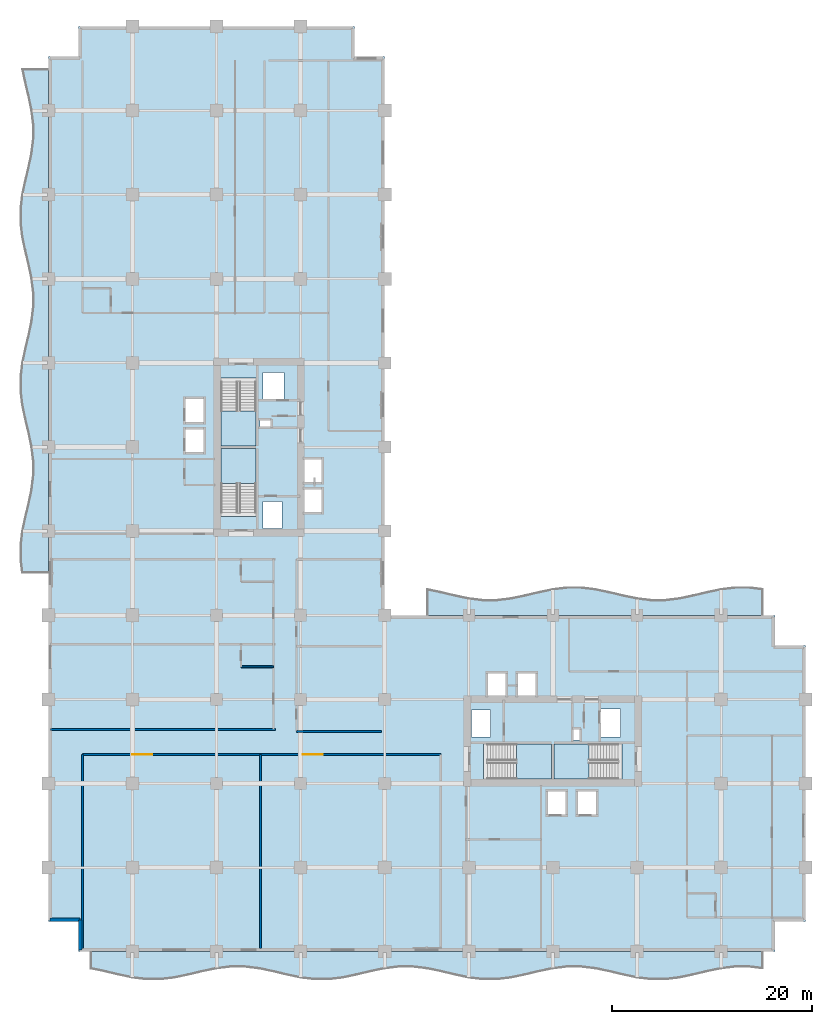
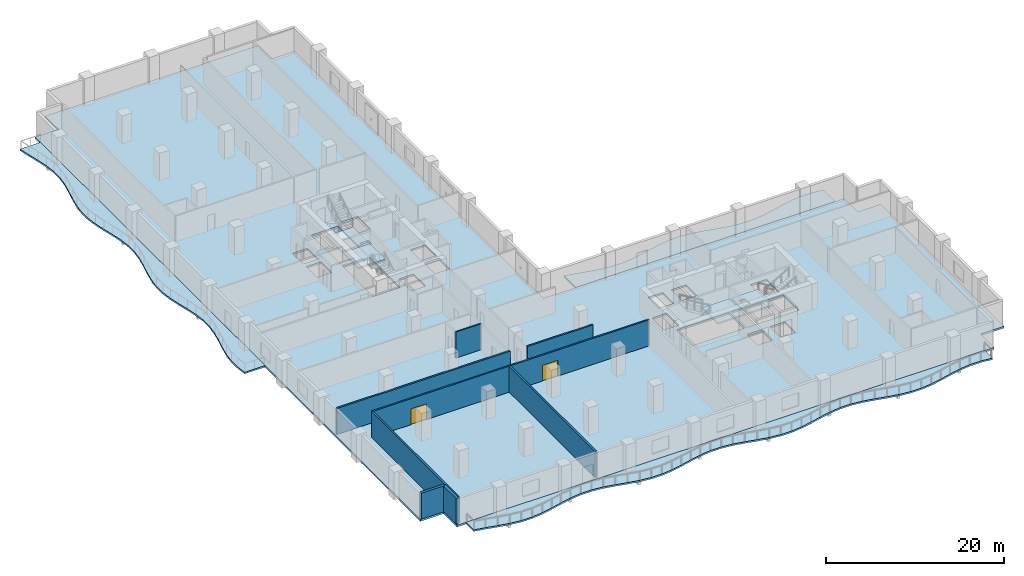
# One storey, part 3 of 15: 8 slabs, 8 walls, 2 doors, 2 openings, 4 elements without a shape of their own.
"""IFC4 building model written with IfcOpenShell, lengths in metres."""

import ifcopenshell
import ifcopenshell.guid

model = None  # the IFC model being written
_history = None  # IfcOwnerHistory: only IFC2X3 demands one
_inside = {}  # id of a spatial element -> (the spatial element, [elements in it])
_under = {}  # id of a project, library or spatial element -> (it, [spatial elements below it])
_declared = {}  # id of a project -> (the project, [libraries it declares])
_typed = {}  # id of a type object -> (the type object, [elements of that type])
_made_of = {}  # id of a material, layer set ... -> (it, [elements and type objects made of it])


def new_model(schema):
    """Start an empty IFC model of exactly this schema.

    Asked for "IFC4X3", IfcOpenShell would pick the latest addendum, in which some entities
    have other attributes; the version numbers below select the first issue.
    IFC2X3 requires an IfcOwnerHistory on every rooted entity: one is made here for all.
    """
    global model, _history
    if schema == "IFC4X3":
        model = ifcopenshell.file(schema_version=(4, 3, 0, 0))
    else:
        model = ifcopenshell.file(schema=schema)
    _inside.clear()
    _under.clear()
    _declared.clear()
    _typed.clear()
    _made_of.clear()
    _history = None
    if model.schema == "IFC2X3":
        org = make("IfcOrganization", Name="unknown")
        user = make(
            "IfcPersonAndOrganization",
            ThePerson=make("IfcPerson", FamilyName="unknown"),
            TheOrganization=org,
        )
        app = make(
            "IfcApplication",
            ApplicationDeveloper=org,
            Version="unknown",
            ApplicationFullName="unknown",
            ApplicationIdentifier="unknown",
        )
        _history = make(
            "IfcOwnerHistory",
            OwningUser=user,
            OwningApplication=app,
            ChangeAction="ADDED",
            CreationDate=0,
        )
    return model


def make(cls, **values):
    """One entity of the class cls with the attributes given. An attribute that is None is left unset."""
    return model.create_entity(
        cls, **{name: value for name, value in values.items() if value is not None}
    )


def rooted(cls, **values):
    """An entity with a GlobalId (a new one), such as an element, a storey or a relation."""
    return make(cls, GlobalId=ifcopenshell.guid.new(), OwnerHistory=_history, **values)


def si_unit(unit_type, name, prefix=None):
    """IfcSIUnit, for example si_unit("LENGTHUNIT", "METRE", prefix="MILLI")."""
    return make("IfcSIUnit", UnitType=unit_type, Prefix=prefix, Name=name)


def assignment(units):
    """IfcUnitAssignment: the units of a project."""
    return None if units is None else make("IfcUnitAssignment", Units=units)


def point(xyz):
    """IfcCartesianPoint."""
    return None if xyz is None else make("IfcCartesianPoint", Coordinates=xyz)


def direction(xyz):
    """IfcDirection."""
    return None if xyz is None else make("IfcDirection", DirectionRatios=xyz)


def frame(location, z_axis=None, x_axis=None):
    """IfcAxis2Placement3D, a coordinate frame: its origin and axes. An axis left out is left unset."""
    return make(
        "IfcAxis2Placement3D",
        Location=point(location),
        Axis=direction(z_axis),
        RefDirection=direction(x_axis),
    )


def frame_2d(location, x_axis=None):
    """IfcAxis2Placement2D, a coordinate frame in the plane: its origin and x axis."""
    return make(
        "IfcAxis2Placement2D", Location=point(location), RefDirection=direction(x_axis)
    )


def origin():
    """The frame at (0, 0, 0) with its axes left unset."""
    return frame((0.0, 0.0, 0.0))


def place(relative_to, where):
    """IfcLocalPlacement: puts the frame where relative to a parent placement (None: the world)."""
    return make(
        "IfcLocalPlacement", PlacementRelTo=relative_to, RelativePlacement=where
    )


def context(
    kind, dimensions, precision=None, world=None, true_north=None, identifier=None
):
    """IfcGeometricRepresentationContext, for example the 3D "Model" context."""
    return make(
        "IfcGeometricRepresentationContext",
        ContextIdentifier=identifier,
        ContextType=kind,
        CoordinateSpaceDimension=dimensions,
        Precision=precision,
        WorldCoordinateSystem=world,
        TrueNorth=true_north,
    )


def subcontext(parent, identifier, kind, view, scale=None):
    """IfcGeometricRepresentationSubContext, for example "Body" below "Model"."""
    return make(
        "IfcGeometricRepresentationSubContext",
        ContextIdentifier=identifier,
        ContextType=kind,
        ParentContext=parent,
        TargetScale=scale,
        TargetView=view,
    )


def project(units=None, contexts=None):
    """IfcProject with its units and contexts."""
    return rooted(
        "IfcProject",
        Name="project",
        RepresentationContexts=contexts,
        UnitsInContext=assignment(units),
    )


def spatial(cls, under=None, at=None, **own):
    """A site, building, storey or space (cls), placed at a placement, below another one or the project."""
    s = rooted(cls, ObjectPlacement=at, **own)
    if under is not None:
        _under.setdefault(under.id(), (under, []))[1].append(s)
    return s


def polyline(points):
    """IfcPolyline through the points."""
    return make("IfcPolyline", Points=[point(p) for p in points])


def profile(cls, at=None, kind="AREA", **sizes):
    """A parametric profile (cls). Its sizes go by their IFC names, for example OverallWidth=200.0."""
    return make(cls, ProfileType=kind, Position=at, **sizes)


def rectangle(**sizes):
    """IfcRectangleProfileDef."""
    return profile("IfcRectangleProfileDef", **sizes)


def outline(outer, holes=None, kind="AREA"):
    """IfcArbitraryClosedProfileDef: a profile drawn as a closed curve; with holes, ...WithVoids."""
    if holes is None:
        return make("IfcArbitraryClosedProfileDef", ProfileType=kind, OuterCurve=outer)
    return make(
        "IfcArbitraryProfileDefWithVoids",
        ProfileType=kind,
        OuterCurve=outer,
        InnerCurves=holes,
    )


def extrude(swept, where, along, depth):
    """IfcExtrudedAreaSolid: the profile swept, set in the frame where, extruded along a direction by depth."""
    return make(
        "IfcExtrudedAreaSolid",
        SweptArea=swept,
        Position=where,
        ExtrudedDirection=direction(along),
        Depth=depth,
    )


def shape(context_of_items, identifier, shape_type, items):
    """IfcShapeRepresentation: the items that make up one representation, for example the "Body"."""
    return make(
        "IfcShapeRepresentation",
        ContextOfItems=context_of_items,
        RepresentationIdentifier=identifier,
        RepresentationType=shape_type,
        Items=items,
    )


def material(Name=None, Category=None):
    """IfcMaterial."""
    return make("IfcMaterial", Name=Name, Category=Category)


def layer(
    of_material, thickness, ventilated=None, Name=None, Category=None, Priority=None
):
    """IfcMaterialLayer: one layer of a wall or slab, of a material (None: an air gap)."""
    return make(
        "IfcMaterialLayer",
        Material=of_material,
        LayerThickness=thickness,
        IsVentilated=ventilated,
        Name=Name,
        Category=Category,
        Priority=Priority,
    )


def layer_set(layers, Name=None):
    """IfcMaterialLayerSet."""
    return make("IfcMaterialLayerSet", MaterialLayers=layers, LayerSetName=Name)


def made_of(thing, what):
    """Note that an element or type object is made of a material, layer set ...; save() writes the relation."""
    if what is not None:
        _made_of.setdefault(what.id(), (what, []))[1].append(thing)
    return thing


def type_object(cls, material=None, **own):
    """A type object (cls), such as IfcWallType, which elements share."""
    return made_of(rooted(cls, **own), material)


def element(
    cls,
    number,
    at=None,
    inside=None,
    cuts=None,
    type_object=None,
    material=None,
    context=None,
    identifier="Body",
    shape_type=None,
    held_by="IfcProductDefinitionShape",
    body=None,
    shapes=None,
    **own,
):
    """One element of the class cls, such as IfcWall. Its Tag is "e" and its number.

    at: its placement. inside: the storey or other place that contains it. cuts: it is an
    opening in that element (IfcRelVoidsElement). A single representation is given by context,
    identifier, shape_type and body (its items); several are given by shapes. held_by: the class
    of the entity that holds the representations. save() writes the other relations.
    """
    e = rooted(cls, Tag="e%d" % number, ObjectPlacement=at, **own)
    if body is not None:
        shapes = [shape(context, identifier, shape_type, body)]
    if shapes is not None:
        e.Representation = make(held_by, Representations=shapes)
    if inside is not None:
        _inside.setdefault(inside.id(), (inside, []))[1].append(e)
    if cuts is not None:
        rooted(
            "IfcRelVoidsElement", RelatingBuildingElement=cuts, RelatedOpeningElement=e
        )
    if type_object is not None:
        _typed.setdefault(type_object.id(), (type_object, []))[1].append(e)
    return made_of(e, material)


def fill(opening, filler):
    """IfcRelFillsElement: the door or window that sits in an opening."""
    return rooted(
        "IfcRelFillsElement",
        RelatingOpeningElement=opening,
        RelatedBuildingElement=filler,
    )


def aggregate(whole, parts):
    """IfcRelAggregates: a whole, such as a stair, and the parts it consists of."""
    return rooted("IfcRelAggregates", RelatingObject=whole, RelatedObjects=parts)


def save(model, path):
    """Write the relations noted so far, then the file.

    IfcRelAggregates (storeys below a building ...), IfcRelContainedInSpatialStructure (elements
    in a storey), IfcRelDefinesByType, IfcRelAssociatesMaterial and IfcRelDeclares: one each for
    every whole, place, type object, material and project.
    """
    for whole, parts in _under.values():
        aggregate(whole, parts)
    for where, things in _inside.values():
        rooted(
            "IfcRelContainedInSpatialStructure",
            RelatedElements=things,
            RelatingStructure=where,
        )
    for kind, things in _typed.values():
        rooted("IfcRelDefinesByType", RelatedObjects=things, RelatingType=kind)
    for what, things in _made_of.values():
        rooted("IfcRelAssociatesMaterial", RelatedObjects=things, RelatingMaterial=what)
    for by, libraries in _declared.values():
        rooted("IfcRelDeclares", RelatingContext=by, RelatedDefinitions=libraries)
    model.write(path)


model = new_model("IFC4")

# Units and contexts
model_context = context("Model", 3, precision=1e-05, world=origin(), true_north=direction((0.0, 1.0)))
body_context = subcontext(model_context, "Body", "Model", "MODEL_VIEW")
ifc_project = project(units=[si_unit("LENGTHUNIT", "METRE"), si_unit("AREAUNIT", "SQUARE_METRE"), si_unit("VOLUMEUNIT", "CUBIC_METRE"), si_unit("PLANEANGLEUNIT", "RADIAN"), si_unit("MASSUNIT", "GRAM", prefix="KILO")], contexts=[model_context])

# Site, building, storey
site_placement = place(None, origin())
site = spatial("IfcSite", under=ifc_project, at=site_placement, CompositionType="ELEMENT")
building_placement = place(site_placement, origin())
building = spatial("IfcBuilding", under=site, at=building_placement, Name="Koriwani Terraces Tower", CompositionType="ELEMENT")
storey_placement = place(building_placement, frame((0.0, 0.0, 138.0)))
storey = spatial("IfcBuildingStorey", under=building, at=storey_placement, Name="L33", CompositionType="ELEMENT", Elevation=138.0)

# Slabs
ifc_material_1 = material(Name="Concrete C40/50", Category="concrete")
ifc_layer_1 = layer(ifc_material_1, 0.219970703125, Name="Concrete C40/50")
ifc_layer_set_1 = layer_set([ifc_layer_1], Name="Concrete C40/50")
slab_type_1 = type_object("IfcSlabType", Name="SLAB_BALCONY_220", PredefinedType="FLOOR", material=ifc_layer_set_1)
slab_1_placement = place(storey_placement, frame((0.0, 0.0, -0.219970703125)))
element("IfcSlab", 1, at=slab_1_placement, inside=storey, type_object=slab_type_1, Name="L33 Quilted Circular-Arc Balcony (S)", PredefinedType="FLOOR", context=body_context, shape_type="SweptSolid", body=[
    extrude(outline(polyline([(4.199951171875, 0.0), (5.60009765625, 0.0), (7.0, 0.0), (8.39990234375, 0.0), (9.800048828125, 0.0), (11.199951171875, 0.0), (12.60009765625, 0.0), (14.0, 0.0), (15.39990234375, 0.0), (16.800048828125, 0.0), (18.199951171875, 0.0), (19.60009765625, 0.0), (21.0, 0.0), (22.39990234375, 0.0), (23.800048828125, 0.0), (25.199951171875, 0.0), (26.60009765625, 0.0), (28.0, 0.0), (29.39990234375, 0.0), (30.800048828125, 0.0), (32.199951171875, 0.0), (33.60009765625, 0.0), (35.0, 0.0), (36.39990234375, 0.0), (37.800048828125, 0.0), (39.199951171875, 0.0), (40.60009765625, 0.0), (42.0, 0.0), (43.39990234375, 0.0), (44.800048828125, 0.0), (46.199951171875, 0.0), (47.60009765625, 0.0), (49.0, 0.0), (50.39990234375, 0.0), (51.800048828125, 0.0), (53.199951171875, 0.0), (54.60009765625, 0.0), (56.0, 0.0), (57.39990234375, 0.0), (58.800048828125, 0.0), (60.199951171875, 0.0), (61.60009765625, 0.0), (63.0, 0.0), (64.39990234375, 0.0), (65.800048828125, 0.0), (67.199951171875, 0.0), (68.60009765625, 0.0), (70.0, 0.0), (71.39990234375, 0.0), (71.39990234375, -1.740478515625), (70.0, -1.572021484375), (68.60009765625, -1.572021484375), (67.199951171875, -1.740478515625), (65.800048828125, -2.03173828125), (64.39990234375, -2.3681640625), (63.0, -2.65966796875), (61.60009765625, -2.827880859375), (60.199951171875, -2.827880859375), (58.800048828125, -2.65966796875), (57.39990234375, -2.3681640625), (56.0, -2.03173828125), (54.60009765625, -1.740478515625), (53.199951171875, -1.572021484375), (51.800048828125, -1.572021484375), (50.39990234375, -1.740478515625), (49.0, -2.03173828125), (47.60009765625, -2.3681640625), (46.199951171875, -2.65966796875), (44.800048828125, -2.827880859375), (43.39990234375, -2.827880859375), (42.0, -2.65966796875), (40.60009765625, -2.3681640625), (39.199951171875, -2.03173828125), (37.800048828125, -1.740478515625), (36.39990234375, -1.572021484375), (35.0, -1.572021484375), (33.60009765625, -1.740478515625), (32.199951171875, -2.03173828125), (30.800048828125, -2.3681640625), (29.39990234375, -2.65966796875), (28.0, -2.827880859375), (26.60009765625, -2.827880859375), (25.199951171875, -2.65966796875), (23.800048828125, -2.3681640625), (22.39990234375, -2.03173828125), (21.0, -1.740478515625), (19.60009765625, -1.572021484375), (18.199951171875, -1.572021484375), (16.800048828125, -1.740478515625), (15.39990234375, -2.03173828125), (14.0, -2.3681640625), (12.60009765625, -2.65966796875), (11.199951171875, -2.827880859375), (9.800048828125, -2.827880859375), (8.39990234375, -2.65966796875), (7.0, -2.3681640625), (5.60009765625, -2.03173828125), (4.199951171875, -1.740478515625), (4.199951171875, 0.0)])), origin(), (0.0, 0.0, 1.0), 0.219970703125),
])
slab_2_placement = place(storey_placement, frame((0.0, 0.0, -0.219970703125)))
element("IfcSlab", 2, at=slab_2_placement, inside=storey, type_object=slab_type_1, Name="L33 Quilted Circular-Arc Balcony (W)", PredefinedType="FLOOR", context=body_context, shape_type="SweptSolid", body=[
    extrude(outline(polyline([(0.0, 37.800048828125), (0.0, 39.199951171875), (0.0, 40.60009765625), (0.0, 42.0), (0.0, 43.39990234375), (0.0, 44.800048828125), (0.0, 46.199951171875), (0.0, 47.60009765625), (0.0, 49.0), (0.0, 50.39990234375), (0.0, 51.800048828125), (0.0, 53.199951171875), (0.0, 54.60009765625), (0.0, 56.0), (0.0, 57.39990234375), (0.0, 58.800048828125), (0.0, 60.199951171875), (0.0, 61.60009765625), (0.0, 63.0), (0.0, 64.39990234375), (0.0, 65.800048828125), (0.0, 67.199951171875), (0.0, 68.60009765625), (0.0, 70.0), (0.0, 71.39990234375), (0.0, 72.800048828125), (0.0, 74.199951171875), (0.0, 75.60009765625), (0.0, 77.0), (0.0, 78.39990234375), (0.0, 79.800048828125), (0.0, 81.199951171875), (0.0, 82.60009765625), (0.0, 84.0), (0.0, 85.39990234375), (0.0, 86.800048828125), (0.0, 88.199951171875), (-2.65966796875, 88.199951171875), (-2.3681640625, 86.800048828125), (-2.03173828125, 85.39990234375), (-1.740478515625, 84.0), (-1.572021484375, 82.60009765625), (-1.572021484375, 81.199951171875), (-1.740478515625, 79.800048828125), (-2.03173828125, 78.39990234375), (-2.3681640625, 77.0), (-2.65966796875, 75.60009765625), (-2.827880859375, 74.199951171875), (-2.827880859375, 72.800048828125), (-2.65966796875, 71.39990234375), (-2.3681640625, 70.0), (-2.03173828125, 68.60009765625), (-1.740478515625, 67.199951171875), (-1.572021484375, 65.800048828125), (-1.572021484375, 64.39990234375), (-1.740478515625, 63.0), (-2.03173828125, 61.60009765625), (-2.3681640625, 60.199951171875), (-2.65966796875, 58.800048828125), (-2.827880859375, 57.39990234375), (-2.827880859375, 56.0), (-2.65966796875, 54.60009765625), (-2.3681640625, 53.199951171875), (-2.03173828125, 51.800048828125), (-1.740478515625, 50.39990234375), (-1.572021484375, 49.0), (-1.572021484375, 47.60009765625), (-1.740478515625, 46.199951171875), (-2.03173828125, 44.800048828125), (-2.3681640625, 43.39990234375), (-2.65966796875, 42.0), (-2.827880859375, 40.60009765625), (-2.827880859375, 39.199951171875), (-2.65966796875, 37.800048828125), (0.0, 37.800048828125)])), origin(), (0.0, 0.0, 1.0), 0.219970703125),
])
slab_3_placement = place(storey_placement, frame((0.0, 0.0, -0.219970703125)))
element("IfcSlab", 3, at=slab_3_placement, inside=storey, type_object=slab_type_1, Name="L33 Quilted Circular-Arc Balcony (NE)", PredefinedType="FLOOR", context=body_context, shape_type="SweptSolid", body=[
    extrude(outline(polyline([(71.39990234375, 33.60009765625), (70.0, 33.60009765625), (68.60009765625, 33.60009765625), (67.199951171875, 33.60009765625), (65.800048828125, 33.60009765625), (64.39990234375, 33.60009765625), (63.0, 33.60009765625), (61.60009765625, 33.60009765625), (60.199951171875, 33.60009765625), (58.800048828125, 33.60009765625), (57.39990234375, 33.60009765625), (56.0, 33.60009765625), (54.60009765625, 33.60009765625), (53.199951171875, 33.60009765625), (51.800048828125, 33.60009765625), (50.39990234375, 33.60009765625), (49.0, 33.60009765625), (47.60009765625, 33.60009765625), (46.199951171875, 33.60009765625), (44.800048828125, 33.60009765625), (43.39990234375, 33.60009765625), (42.0, 33.60009765625), (40.60009765625, 33.60009765625), (39.199951171875, 33.60009765625), (37.800048828125, 33.60009765625), (37.800048828125, 36.259521484375), (39.199951171875, 35.96826171875), (40.60009765625, 35.6318359375), (42.0, 35.34033203125), (43.39990234375, 35.172119140625), (44.800048828125, 35.172119140625), (46.199951171875, 35.34033203125), (47.60009765625, 35.6318359375), (49.0, 35.96826171875), (50.39990234375, 36.259521484375), (51.800048828125, 36.427978515625), (53.199951171875, 36.427978515625), (54.60009765625, 36.259521484375), (56.0, 35.96826171875), (57.39990234375, 35.6318359375), (58.800048828125, 35.34033203125), (60.199951171875, 35.172119140625), (61.60009765625, 35.172119140625), (63.0, 35.34033203125), (64.39990234375, 35.6318359375), (65.800048828125, 35.96826171875), (67.199951171875, 36.259521484375), (68.60009765625, 36.427978515625), (70.0, 36.427978515625), (71.39990234375, 36.259521484375), (71.39990234375, 33.60009765625)])), origin(), (0.0, 0.0, 1.0), 0.219970703125),
])

# Stair, slab
stair_type = type_object("IfcStairType", Name="STAIR_CORE_DOGLEG_1650", PredefinedType="TWO_STRAIGHT_RUN_STAIR", material=ifc_material_1)
stair_1_placement = place(storey_placement, origin())
stair_1 = element("IfcStair", 4, at=stair_1_placement, inside=storey, type_object=stair_type, Name="L33 West Core Exit Stair 1", PredefinedType="HALF_TURN_STAIR")
ifc_layer_2 = layer(ifc_material_1, 0.199951171875, Name="Concrete C40/50")
ifc_layer_set_2 = layer_set([ifc_layer_2], Name="Concrete C40/50")
slab_type_2 = type_object("IfcSlabType", Name="SLAB_STAIR_LANDING_200", PredefinedType="LANDING", material=ifc_layer_set_2)
slab_4_placement = place(storey_placement, frame((0.0, 0.0, 1.699951171875)))
slab_4 = element("IfcSlab", 5, at=slab_4_placement, type_object=slab_type_2, Name="ST-W1 landing 1", PredefinedType="LANDING", context=body_context, shape_type="SweptSolid", body=[
    extrude(outline(polyline([(20.75, 46.75), (20.75, 50.25), (17.25, 50.25), (17.25, 46.75), (20.75, 46.75)])), origin(), (0.0, 0.0, 1.0), 0.199951171875),
])
aggregate(stair_1, [slab_4])

stair_2_placement = place(storey_placement, origin())
stair_2 = element("IfcStair", 6, at=stair_2_placement, inside=storey, type_object=stair_type, Name="L33 West Core Exit Stair 2", PredefinedType="HALF_TURN_STAIR")
slab_5_placement = place(storey_placement, frame((0.0, 0.0, 1.699951171875)))
slab_5 = element("IfcSlab", 7, at=slab_5_placement, type_object=slab_type_2, Name="ST-W2 landing 1", PredefinedType="LANDING", context=body_context, shape_type="SweptSolid", body=[
    extrude(outline(polyline([(17.25, 54.0), (17.25, 50.5), (20.75, 50.5), (20.75, 54.0), (17.25, 54.0)])), origin(), (0.0, 0.0, 1.0), 0.199951171875),
])
aggregate(stair_2, [slab_5])

stair_3_placement = place(storey_placement, origin())
stair_3 = element("IfcStair", 8, at=stair_3_placement, inside=storey, type_object=stair_type, Name="L33 East Core Exit Stair 1", PredefinedType="HALF_TURN_STAIR")
slab_6_placement = place(storey_placement, frame((0.0, 0.0, 1.699951171875)))
slab_6 = element("IfcSlab", 9, at=slab_6_placement, type_object=slab_type_2, Name="ST-E1 landing 1", PredefinedType="LANDING", context=body_context, shape_type="SweptSolid", body=[
    extrude(outline(polyline([(46.75, 17.25), (50.25, 17.25), (50.25, 20.75), (46.75, 20.75), (46.75, 17.25)])), origin(), (0.0, 0.0, 1.0), 0.199951171875),
])
aggregate(stair_3, [slab_6])

stair_4_placement = place(storey_placement, origin())
stair_4 = element("IfcStair", 10, at=stair_4_placement, inside=storey, type_object=stair_type, Name="L33 East Core Exit Stair 2", PredefinedType="HALF_TURN_STAIR")
slab_7_placement = place(storey_placement, frame((0.0, 0.0, 1.699951171875)))
slab_7 = element("IfcSlab", 11, at=slab_7_placement, type_object=slab_type_2, Name="ST-E2 landing 1", PredefinedType="LANDING", context=body_context, shape_type="SweptSolid", body=[
    extrude(outline(polyline([(54.0, 20.75), (50.5, 20.75), (50.5, 17.25), (54.0, 17.25), (54.0, 20.75)])), origin(), (0.0, 0.0, 1.0), 0.199951171875),
])
aggregate(stair_4, [slab_7])

# Slab
ifc_layer_3 = layer(ifc_material_1, 0.25, Name="Concrete C40/50")
ifc_layer_set_3 = layer_set([ifc_layer_3], Name="Concrete C40/50")
slab_type_3 = type_object("IfcSlabType", Name="SLAB_TOWER_TYP_250", PredefinedType="FLOOR", material=ifc_layer_set_3)
slab_8_placement = place(storey_placement, frame((0.0, 0.0, -0.25)))
element("IfcSlab", 12, at=slab_8_placement, inside=storey, type_object=slab_type_3, Name="L33 Structural Floor Slab", PredefinedType="FLOOR", context=body_context, shape_type="SweptSolid", body=[
    extrude(outline(polyline([(3.0, 0.0), (72.60009765625, 0.0), (72.60009765625, 3.0), (75.60009765625, 3.0), (75.60009765625, 30.60009765625), (72.60009765625, 30.60009765625), (72.60009765625, 33.60009765625), (33.60009765625, 33.60009765625), (33.60009765625, 89.39990234375), (30.60009765625, 89.39990234375), (30.60009765625, 92.39990234375), (3.0, 92.39990234375), (3.0, 89.39990234375), (0.0, 89.39990234375), (0.0, 3.0), (3.0, 3.0), (3.0, 0.0)]), holes=[polyline([(17.25, 43.4599609375), (20.75, 43.4599609375), (20.75, 50.25), (17.25, 50.25), (17.25, 43.4599609375)]), polyline([(17.25, 50.5), (20.75, 50.5), (20.75, 57.2900390625), (17.25, 57.2900390625), (17.25, 50.5)]), polyline([(43.4599609375, 17.25), (50.25, 17.25), (50.25, 20.75), (43.4599609375, 20.75), (43.4599609375, 17.25)]), polyline([(50.5, 17.25), (57.2900390625, 17.25), (57.2900390625, 20.75), (50.5, 20.75), (50.5, 17.25)]), polyline([(13.64990234375, 49.85009765625), (15.550048828125, 49.85009765625), (15.550048828125, 52.25), (13.64990234375, 52.25), (13.64990234375, 49.85009765625)]), polyline([(13.64990234375, 52.85009765625), (15.550048828125, 52.85009765625), (15.550048828125, 55.25), (13.64990234375, 55.25), (13.64990234375, 52.85009765625)]), polyline([(49.85009765625, 13.64990234375), (51.75, 13.64990234375), (51.75, 16.050048828125), (49.85009765625, 16.050048828125), (49.85009765625, 13.64990234375)]), polyline([(52.85009765625, 13.64990234375), (54.75, 13.64990234375), (54.75, 16.050048828125), (52.85009765625, 16.050048828125), (52.85009765625, 13.64990234375)]), polyline([(25.449951171875, 43.85009765625), (27.35009765625, 43.85009765625), (27.35009765625, 46.25), (25.449951171875, 46.25), (25.449951171875, 43.85009765625)]), polyline([(25.449951171875, 46.85009765625), (27.35009765625, 46.85009765625), (27.35009765625, 49.25), (25.449951171875, 49.25), (25.449951171875, 46.85009765625)]), polyline([(43.85009765625, 25.449951171875), (45.75, 25.449951171875), (45.75, 27.85009765625), (43.85009765625, 27.85009765625), (43.85009765625, 25.449951171875)]), polyline([(46.85009765625, 25.449951171875), (48.75, 25.449951171875), (48.75, 27.85009765625), (46.85009765625, 27.85009765625), (46.85009765625, 25.449951171875)]), polyline([(21.449951171875, 55.050048828125), (23.550048828125, 55.050048828125), (23.550048828125, 57.85009765625), (21.449951171875, 57.85009765625), (21.449951171875, 55.050048828125)]), polyline([(55.050048828125, 21.449951171875), (57.14990234375, 21.449951171875), (57.14990234375, 24.25), (55.050048828125, 24.25), (55.050048828125, 21.449951171875)]), polyline([(21.449951171875, 42.25), (23.35009765625, 42.25), (23.35009765625, 44.949951171875), (21.449951171875, 44.949951171875), (21.449951171875, 42.25)]), polyline([(42.25, 21.449951171875), (44.14990234375, 21.449951171875), (44.14990234375, 24.14990234375), (42.25, 24.14990234375), (42.25, 21.449951171875)]), polyline([(21.14990234375, 52.419921875), (22.219970703125, 52.419921875), (22.219970703125, 53.179931640625), (21.14990234375, 53.179931640625), (21.14990234375, 52.419921875)]), polyline([(52.419921875, 21.14990234375), (53.179931640625, 21.14990234375), (53.179931640625, 22.219970703125), (52.419921875, 22.219970703125), (52.419921875, 21.14990234375)])]), origin(), (0.0, 0.0, 1.0), 0.25),
])

# Wall
ifc_material_2 = material(Name="Autoclaved Cellular Concrete Blockwork", Category="masonry")
ifc_layer_4 = layer(ifc_material_2, 0.199951171875, Name="Autoclaved Cellular Concrete Blockwork")
ifc_layer_set_4 = layer_set([ifc_layer_4], Name="Autoclaved Cellular Concrete Blockwork")
wall_type_1 = type_object("IfcWallType", Name="WALL_CORRIDOR_200", PredefinedType="PARTITIONING", material=ifc_layer_set_4)
wall_1_placement = place(storey_placement, frame((24.800048828125, 22.0, 0.0), z_axis=(0.0, 0.0, 1.0), x_axis=(1.0, 0.0, 0.0)))
element("IfcWall", 13, at=wall_1_placement, inside=storey, type_object=wall_type_1, Name="L33 Interior Wall WIC2-S-L33", PredefinedType="PARTITIONING", context=body_context, shape_type="SweptSolid", body=[
    extrude(rectangle(XDim=8.5, YDim=0.199951171875, at=frame_2d((4.25, 0.0))), origin(), (0.0, 0.0, 1.0), 3.550048828125),
])

# Wall, openings, doors
wall_2_placement = place(storey_placement, frame((3.39990234375, 19.699951171875, 0.0), z_axis=(0.0, 0.0, 1.0), x_axis=(1.0, 0.0, 0.0)))
wall_2 = element("IfcWall", 14, at=wall_2_placement, inside=storey, type_object=wall_type_1, Name="L33 Interior Wall WC2CF-L33", PredefinedType="PARTITIONING", context=body_context, shape_type="SweptSolid", body=[
    extrude(rectangle(XDim=35.800048828125, YDim=0.199951171875, at=frame_2d((17.89990234375, 0.0))), origin(), (0.0, 0.0, 1.0), 3.550048828125),
])
opening_1_placement = place(wall_2_placement, frame((5.0, 0.0, 0.0)))
opening_1 = element("IfcOpeningElement", 15, at=opening_1_placement, cuts=wall_2, Name="Opening D-02", PredefinedType="OPENING", context=body_context, shape_type="SweptSolid", body=[
    extrude(rectangle(XDim=2.0, YDim=2.14990234375, at=frame_2d((1.0, 1.074951171875))), frame((0.0, 0.10986328125, 0.0), z_axis=(0.0, -1.0, 0.0), x_axis=(1.0, 0.0, 0.0)), (0.0, 0.0, 1.0), 0.219970703125),
])
opening_2_placement = place(wall_2_placement, frame((22.0, 0.0, 0.0)))
opening_2 = element("IfcOpeningElement", 16, at=opening_2_placement, cuts=wall_2, Name="Opening D-02", PredefinedType="OPENING", context=body_context, shape_type="SweptSolid", body=[
    extrude(rectangle(XDim=2.0, YDim=2.14990234375, at=frame_2d((1.0, 1.074951171875))), frame((0.0, 0.10986328125, 0.0), z_axis=(0.0, -1.0, 0.0), x_axis=(1.0, 0.0, 0.0)), (0.0, 0.0, 1.0), 0.219970703125),
])
ifc_material_3 = material(Name="Anodised Bronze Aluminium", Category="aluminium")
door_type = type_object("IfcDoorType", Name="DOOR_ENTRANCE_DOUBLE_2000X2400", OperationType="NOTDEFINED", PredefinedType="DOOR", material=ifc_material_3)
door_1_placement = place(opening_1_placement, origin())
door_1 = element("IfcDoor", 17, at=door_1_placement, inside=storey, type_object=door_type, Name="L33 Summit Conference Hall Door", OperationType="SINGLE_SWING_LEFT", OverallHeight=2.14990234375, OverallWidth=2.0, PredefinedType="DOOR", context=body_context, shape_type="SweptSolid", body=[
    extrude(rectangle(XDim=2.0, YDim=2.14990234375, at=frame_2d((1.0, 1.074951171875))), frame((0.0, 0.02490234375, 0.0), z_axis=(0.0, -1.0, 0.0), x_axis=(1.0, 0.0, 0.0)), (0.0, 0.0, 1.0), 0.050048828125),
])
fill(opening_1, door_1)
door_2_placement = place(opening_2_placement, origin())
door_2 = element("IfcDoor", 18, at=door_2_placement, inside=storey, type_object=door_type, Name="L33 Hotel Banquet Salon Door", OperationType="SINGLE_SWING_RIGHT", OverallHeight=2.14990234375, OverallWidth=2.0, PredefinedType="DOOR", context=body_context, shape_type="SweptSolid", body=[
    extrude(rectangle(XDim=2.0, YDim=2.14990234375, at=frame_2d((1.0, 1.074951171875))), frame((0.0, 0.02490234375, 0.0), z_axis=(0.0, -1.0, 0.0), x_axis=(1.0, 0.0, 0.0)), (0.0, 0.0, 1.0), 0.050048828125),
])
fill(opening_2, door_2)

# Walls
ifc_layer_5 = layer(ifc_material_2, 0.219970703125, Name="Autoclaved Cellular Concrete Blockwork")
ifc_layer_set_5 = layer_set([ifc_layer_5], Name="Autoclaved Cellular Concrete Blockwork")
wall_type_2 = type_object("IfcWallType", Name="WALL_DEMISING_220", PredefinedType="PARTITIONING", material=ifc_layer_set_5)
for number, where, z_axis, x_axis, name in (
    (19, (3.39990234375, 0.300048828125, 0.0), (0.0, 0.0, 1.0), (0.0, 1.0, 0.0), "L33 Interior Wall WC2CFW-L33"),
    (20, (21.199951171875, 0.300048828125, 0.0), (0.0, 0.0, 1.0), (0.0, 1.0, 0.0), "L33 Interior Wall WC2CFM-L33"),
):
    element("IfcWall", number, at=place(storey_placement, frame(where, z_axis=z_axis, x_axis=x_axis)), inside=storey, type_object=wall_type_2, Name=name, PredefinedType="PARTITIONING", context=body_context, shape_type="SweptSolid", body=[
        extrude(rectangle(XDim=19.39990234375, YDim=0.219970703125, at=frame_2d((9.699951171875, 0.0))), origin(), (0.0, 0.0, 1.0), 3.550048828125),
    ])
wall_3_placement = place(storey_placement, frame((0.199951171875, 22.199951171875, 0.0), z_axis=(0.0, 0.0, 1.0), x_axis=(1.0, 0.0, 0.0)))
element("IfcWall", 21, at=wall_3_placement, inside=storey, type_object=wall_type_2, Name="L33 Interior Wall WDEM-L33-NW-0", PredefinedType="PARTITIONING", context=body_context, shape_type="SweptSolid", body=[
    extrude(rectangle(XDim=22.47998046875, YDim=0.219970703125, at=frame_2d((11.239990234375, 0.0))), origin(), (0.0, 0.0, 1.0), 3.550048828125),
])
ifc_material_4 = material(Name="Concrete C50/60", Category="concrete")
ifc_layer_6 = layer(ifc_material_4, 0.35009765625, Name="Concrete C50/60")
ifc_layer_set_6 = layer_set([ifc_layer_6], Name="Concrete C50/60")
wall_type_3 = type_object("IfcWallType", Name="WALL_EXT_BRUTALIST_350", PredefinedType="STANDARD", material=ifc_layer_set_6)
for number, where, z_axis, x_axis, name in (
    (22, (3.175048828125, 0.175048828125, 0.0), (0.0, 0.0, 1.0), (0.0, 1.0, 0.0), "L33 Fair-Faced Brutalist Exterior Wall (N0)"),
    (23, (3.175048828125, 3.175048828125, 0.0), (0.0, 0.0, 1.0), (-1.0, 0.0, 0.0), "L33 Fair-Faced Brutalist Exterior Wall (N1)"),
):
    element("IfcWall", number, at=place(storey_placement, frame(where, z_axis=z_axis, x_axis=x_axis)), inside=storey, type_object=wall_type_3, Name=name, PredefinedType="STANDARD", context=body_context, shape_type="SweptSolid", body=[
        extrude(rectangle(XDim=3.0, YDim=0.35009765625, at=frame_2d((1.5, 0.0))), origin(), (0.0, 0.0, 1.0), 3.550048828125),
    ])
ifc_material_5 = material(Name="Fire-Rated Acoustic Gypsum Partition", Category="masonry")
ifc_layer_7 = layer(ifc_material_5, 0.179931640625, Name="Fire-Rated Acoustic Gypsum Partition")
ifc_layer_set_7 = layer_set([ifc_layer_7], Name="Fire-Rated Acoustic Gypsum Partition")
wall_type_4 = type_object("IfcWallType", Name="WALL_PLUMBING_180", PredefinedType="PLUMBINGWALL", material=ifc_layer_set_7)
wall_4_placement = place(storey_placement, frame((19.25, 28.449951171875, 0.0), z_axis=(0.0, 0.0, 1.0), x_axis=(1.0, 0.0, 0.0)))
element("IfcWall", 24, at=wall_4_placement, inside=storey, type_object=wall_type_4, Name="L33 Interior Wall WBTH2-L33-NW-0", PredefinedType="PLUMBINGWALL", context=body_context, shape_type="SweptSolid", body=[
    extrude(rectangle(XDim=3.25, YDim=0.179931640625, at=frame_2d((1.625, 0.0))), origin(), (0.0, 0.0, 1.0), 3.550048828125),
])

save(model, "model.ifc")
